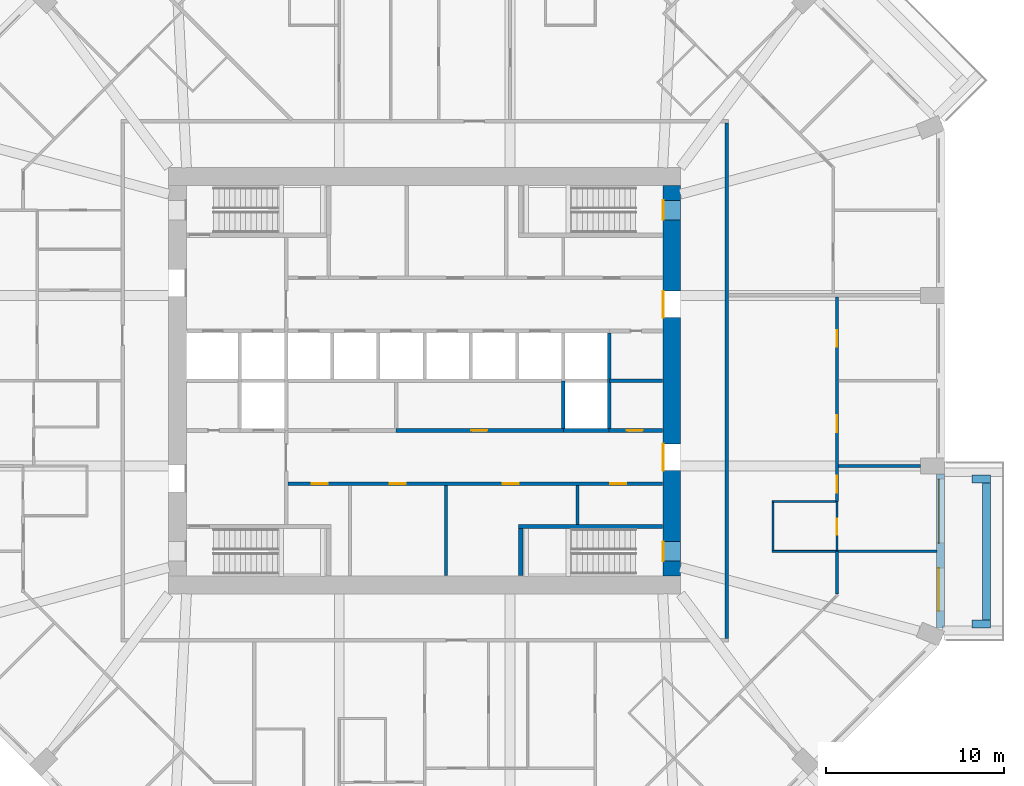
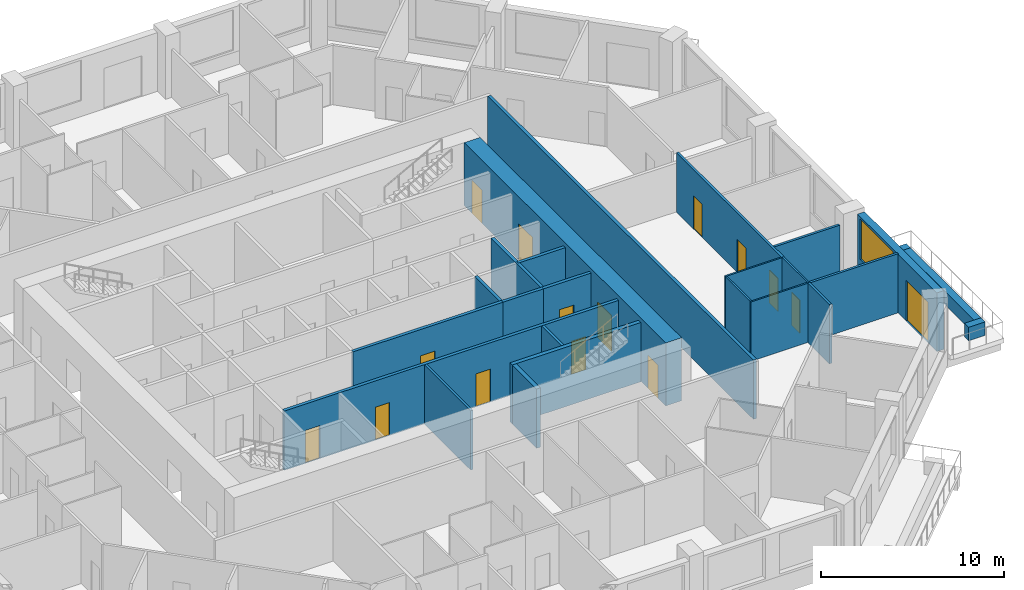
# One storey, part 6 of 13: 25 walls, 15 doors, 1 window, 16 openings.
"""IFC4 building model written with IfcOpenShell, lengths in metres."""

from ifc_helpers import new_model, si_unit, direction, frame, frame_2d, origin, place, context, subcontext, project, spatial, rectangle, extrude, material, layer, layer_set, type_object, element, fill, save


model = new_model("IFC4")

# Units and contexts
model_context = context("Model", 3, precision=1e-05, world=origin(), true_north=direction((0.0, 1.0)))
body_context = subcontext(model_context, "Body", "Model", "MODEL_VIEW")
ifc_project = project(units=[si_unit("LENGTHUNIT", "METRE"), si_unit("AREAUNIT", "SQUARE_METRE"), si_unit("VOLUMEUNIT", "CUBIC_METRE"), si_unit("PLANEANGLEUNIT", "RADIAN"), si_unit("MASSUNIT", "GRAM", prefix="KILO")], contexts=[model_context])

# Site, building, storey
site_placement = place(None, origin())
site = spatial("IfcSite", under=ifc_project, at=site_placement, CompositionType="ELEMENT")
building_placement = place(site_placement, origin())
building = spatial("IfcBuilding", under=site, at=building_placement, Name="Msitu Wima Residences", CompositionType="ELEMENT")
storey_placement = place(building_placement, frame((0.0, 0.0, 88.5)))
storey = spatial("IfcBuildingStorey", under=building, at=storey_placement, Name="L20", CompositionType="ELEMENT", Elevation=88.5)

# Walls
ifc_material_1 = material(Name="Facing brick")
ifc_layer_1 = layer(ifc_material_1, 0.06494140625, Name="Facing brick")
ifc_material_2 = material(Name="Concrete C40/50", Category="concrete")
ifc_layer_2 = layer(ifc_material_2, 0.156005859375, Name="Concrete C40/50")
ifc_material_3 = material(Name="Waterproofing membrane")
ifc_layer_3 = layer(ifc_material_3, 0.00390625, Name="Waterproofing membrane")
ifc_material_4 = material(Name="Planting soil and planting")
ifc_layer_4 = layer(ifc_material_4, 0.22509765625, Name="Planting soil and planting")
ifc_layer_set_1 = layer_set([ifc_layer_1, ifc_layer_2, ifc_layer_3, ifc_layer_4], Name="Concrete C40/50")
wall_type_1 = type_object("IfcWallType", Name="Balcony planter PLANTER PL450", PredefinedType="USERDEFINED", material=ifc_layer_set_1)
wall_1_placement = place(storey_placement, frame((31.625, -13.449951171875, 0.0), z_axis=(0.0, 0.0, 1.0), x_axis=(0.0, 1.0, 0.0)))
element("IfcWall", 1, at=wall_1_placement, inside=storey, type_object=wall_type_1, Name="Balcony planter E0 L20", ObjectType="PLANTER", PredefinedType="USERDEFINED", context=body_context, shape_type="SweptSolid", body=[
    extrude(rectangle(XDim=7.699951171875, YDim=0.449951171875, at=frame_2d((3.85009765625, 0.0))), origin(), (0.0, 0.0, 1.0), 0.89990234375),
])
for number, where, z_axis, x_axis, name in (
    (2, (30.800048828125, -13.675048828125, 0.0), (0.0, 0.0, 1.0), (1.0, 0.0, 0.0), "Balcony planter E0 L20"),
    (3, (30.800048828125, -5.52490234375, 0.0), (0.0, 0.0, 1.0), (1.0, 0.0, 0.0), "Balcony planter E0 L20"),
):
    element("IfcWall", number, at=place(storey_placement, frame(where, z_axis=z_axis, x_axis=x_axis)), inside=storey, type_object=wall_type_1, Name=name, ObjectType="PLANTER", PredefinedType="USERDEFINED", context=body_context, shape_type="SweptSolid", body=[
        extrude(rectangle(XDim=1.050048828125, YDim=0.449951171875, at=frame_2d((0.52490234375, 0.0))), origin(), (0.0, 0.0, 1.0), 0.89990234375),
    ])

# Wall, openings, door, window
ifc_material_5 = material(Name="Brick (red buff mix)", Category="masonry")
ifc_layer_5 = layer(ifc_material_5, 0.449951171875)
ifc_layer_set_2 = layer_set([ifc_layer_5], Name="Brick (red buff mix)")
wall_type_2 = type_object("IfcWallType", Name="Brick infill wall BW450", PredefinedType="SOLIDWALL", material=ifc_layer_set_2)
wall_2_placement = place(storey_placement, frame((29.02490234375, -13.912841796875, 0.0), z_axis=(0.0, 0.0, 1.0), x_axis=(0.0, 1.0, 0.0)))
wall_2 = element("IfcWall", 4, at=wall_2_placement, inside=storey, type_object=wall_type_2, Name="Brick infill wall L20 E0", PredefinedType="SOLIDWALL", context=body_context, shape_type="SweptSolid", body=[
    extrude(rectangle(XDim=8.662841796875, YDim=0.449951171875, at=frame_2d((4.33154296875, 0.0))), origin(), (0.0, 0.0, 1.0), 3.89990234375),
])
opening_1_placement = place(wall_2_placement, frame((0.9658203125, 0.0, 0.0)))
opening_1 = element("IfcOpeningElement", 5, at=opening_1_placement, cuts=wall_2, Name="Opening D18-20.001", PredefinedType="OPENING", context=body_context, shape_type="SweptSolid", body=[
    extrude(rectangle(XDim=2.39990234375, YDim=2.699951171875, at=frame_2d((1.199951171875, 1.35009765625))), frame((0.0, 0.23486328125, 0.0), z_axis=(0.0, -1.0, 0.0), x_axis=(1.0, 0.0, 0.0)), (0.0, 0.0, 1.0), 0.469970703125),
])
opening_2_placement = place(wall_2_placement, frame((4.781494140625, 0.0, 1.050048828125)))
opening_2 = element("IfcOpeningElement", 6, at=opening_2_placement, cuts=wall_2, Name="Opening W18-20.001", PredefinedType="OPENING", context=body_context, shape_type="SweptSolid", body=[
    extrude(rectangle(XDim=3.60009765625, YDim=2.699951171875, at=frame_2d((1.800048828125, 1.35009765625))), frame((0.0, 0.23486328125, 0.0), z_axis=(0.0, -1.0, 0.0), x_axis=(1.0, 0.0, 0.0)), (0.0, 0.0, 1.0), 0.469970703125),
])
ifc_material_6 = material(Name="Anodised aluminium, bronze finish, clear low-emissivity double glazing", Category="aluminium")
door_type_1 = type_object("IfcDoorType", Name="Balcony door D2400x2700", OperationType="SLIDING_TO_LEFT", PredefinedType="DOOR", material=ifc_material_6)
door_1_placement = place(opening_1_placement, origin())
door_1 = element("IfcDoor", 7, at=door_1_placement, inside=storey, type_object=door_type_1, Name="Balcony door L20 E0", OperationType="SINGLE_SWING_LEFT", OverallHeight=2.699951171875, OverallWidth=2.39990234375, PredefinedType="DOOR", context=body_context, shape_type="SweptSolid", body=[
    extrude(rectangle(XDim=2.39990234375, YDim=2.699951171875, at=frame_2d((1.199951171875, 1.35009765625))), frame((0.0, 0.1298828125, 0.0), z_axis=(0.0, -1.0, 0.0), x_axis=(1.0, 0.0, 0.0)), (0.0, 0.0, 1.0), 0.050048828125),
])
fill(opening_1, door_1)
window_type = type_object("IfcWindowType", Name="Window W3600x2700", PartitioningType="DOUBLE_PANEL_VERTICAL", PredefinedType="WINDOW", material=ifc_material_6)
window_placement = place(opening_2_placement, origin())
window = element("IfcWindow", 8, at=window_placement, inside=storey, type_object=window_type, Name="Window L20 E0.2", OverallHeight=2.699951171875, OverallWidth=3.60009765625, PartitioningType="SINGLE_PANEL", PredefinedType="WINDOW", context=body_context, shape_type="SweptSolid", body=[
    extrude(rectangle(XDim=3.60009765625, YDim=2.699951171875, at=frame_2d((1.800048828125, 1.35009765625))), frame((0.0, 0.135009765625, 0.0), z_axis=(0.0, -1.0, 0.0), x_axis=(1.0, 0.0, 0.0)), (0.0, 0.0, 1.0), 0.06005859375),
])
fill(opening_2, window)

# Wall, openings, doors
ifc_material_7 = material(Name="Concrete C80/95", Category="concrete")
ifc_layer_6 = layer(ifc_material_7, 1.0)
ifc_layer_set_3 = layer_set([ifc_layer_6], Name="Concrete C80/95")
wall_type_3 = type_object("IfcWallType", Name="Core wall CW1000 C80/95", PredefinedType="SHEAR", material=ifc_layer_set_3)
wall_3_placement = place(storey_placement, frame((13.89990234375, -11.0, 0.0), z_axis=(0.0, 0.0, 1.0), x_axis=(0.0, 1.0, 0.0)))
wall_3 = element("IfcWall", 9, at=wall_3_placement, inside=storey, type_object=wall_type_3, Name="Core wall", PredefinedType="SHEAR", context=body_context, shape_type="SweptSolid", body=[
    extrude(rectangle(XDim=22.0, YDim=1.0, at=frame_2d((11.0, 0.0))), origin(), (0.0, 0.0, 1.0), 4.199951171875),
])
opening_3_placement = place(wall_3_placement, frame((20.050048828125, 0.0, 0.0)))
opening_3 = element("IfcOpeningElement", 10, at=opening_3_placement, cuts=wall_3, Name="Opening D18-20.035", PredefinedType="OPENING", context=body_context, shape_type="SweptSolid", body=[
    extrude(rectangle(XDim=1.10009765625, YDim=2.199951171875, at=frame_2d((0.550048828125, 1.10009765625))), frame((0.0, 0.510009765625, 0.0), z_axis=(0.0, -1.0, 0.0), x_axis=(1.0, 0.0, 0.0)), (0.0, 0.0, 1.0), 1.02001953125),
])
opening_4_placement = place(wall_3_placement, frame((0.85009765625, 0.0, 0.0)))
opening_4 = element("IfcOpeningElement", 11, at=opening_4_placement, cuts=wall_3, Name="Opening D18-20.036", PredefinedType="OPENING", context=body_context, shape_type="SweptSolid", body=[
    extrude(rectangle(XDim=1.10009765625, YDim=2.199951171875, at=frame_2d((0.550048828125, 1.10009765625))), frame((0.0, 0.510009765625, 0.0), z_axis=(0.0, -1.0, 0.0), x_axis=(1.0, 0.0, 0.0)), (0.0, 0.0, 1.0), 1.02001953125),
])
opening_5_placement = place(wall_3_placement, frame((14.550048828125, 0.0, 0.0)))
opening_5 = element("IfcOpeningElement", 12, at=opening_5_placement, cuts=wall_3, Name="Opening D18-20.025", PredefinedType="OPENING", context=body_context, shape_type="SweptSolid", body=[
    extrude(rectangle(XDim=1.5, YDim=2.39990234375, at=frame_2d((0.75, 1.199951171875))), frame((0.0, 0.510009765625, 0.0), z_axis=(0.0, -1.0, 0.0), x_axis=(1.0, 0.0, 0.0)), (0.0, 0.0, 1.0), 1.02001953125),
])
opening_6_placement = place(wall_3_placement, frame((5.949951171875, 0.0, 0.0)))
opening_6 = element("IfcOpeningElement", 13, at=opening_6_placement, cuts=wall_3, Name="Opening D18-20.026", PredefinedType="OPENING", context=body_context, shape_type="SweptSolid", body=[
    extrude(rectangle(XDim=1.5, YDim=2.39990234375, at=frame_2d((0.75, 1.199951171875))), frame((0.0, 0.510009765625, 0.0), z_axis=(0.0, -1.0, 0.0), x_axis=(1.0, 0.0, 0.0)), (0.0, 0.0, 1.0), 1.02001953125),
])
ifc_material_8 = material(Name="Steel framed glazed door, fire resisting", Category="steel")
door_type_2 = type_object("IfcDoorType", Name="Lobby door D07 1500x2400", OperationType="DOUBLE_DOOR_SINGLE_SWING", PredefinedType="DOOR", material=ifc_material_8)
door_2_placement = place(opening_5_placement, origin())
door_2 = element("IfcDoor", 14, at=door_2_placement, inside=storey, type_object=door_type_2, Name="Lobby door", OperationType="DOUBLE_DOOR_SINGLE_SWING", OverallHeight=2.39990234375, OverallWidth=1.5, PredefinedType="DOOR", context=body_context, shape_type="SweptSolid", body=[
    extrude(rectangle(XDim=1.5, YDim=2.39990234375, at=frame_2d((0.75, 1.199951171875))), frame((0.0, 0.4951171875, 0.0), z_axis=(0.0, -1.0, 0.0), x_axis=(1.0, 0.0, 0.0)), (0.0, 0.0, 1.0), 0.050048828125),
])
fill(opening_5, door_2)
door_3_placement = place(opening_6_placement, origin())
door_3 = element("IfcDoor", 15, at=door_3_placement, inside=storey, type_object=door_type_2, Name="Lobby door", OperationType="DOUBLE_DOOR_SINGLE_SWING", OverallHeight=2.39990234375, OverallWidth=1.5, PredefinedType="DOOR", context=body_context, shape_type="SweptSolid", body=[
    extrude(rectangle(XDim=1.5, YDim=2.39990234375, at=frame_2d((0.75, 1.199951171875))), frame((0.0, 0.4951171875, 0.0), z_axis=(0.0, -1.0, 0.0), x_axis=(1.0, 0.0, 0.0)), (0.0, 0.0, 1.0), 0.050048828125),
])
fill(opening_6, door_3)
ifc_material_9 = material(Name="Steel door, fire resisting, panic bar", Category="steel")
door_type_3 = type_object("IfcDoorType", Name="Stair door D06 1100x2200", OperationType="SINGLE_SWING_LEFT", PredefinedType="DOOR", material=ifc_material_9)
door_4_placement = place(opening_3_placement, origin())
door_4 = element("IfcDoor", 16, at=door_4_placement, inside=storey, type_object=door_type_3, Name="Stair door", OperationType="SINGLE_SWING_LEFT", OverallHeight=2.199951171875, OverallWidth=1.10009765625, PredefinedType="DOOR", context=body_context, shape_type="SweptSolid", body=[
    extrude(rectangle(XDim=1.10009765625, YDim=2.199951171875, at=frame_2d((0.550048828125, 1.10009765625))), frame((0.0, 0.4951171875, 0.0), z_axis=(0.0, -1.0, 0.0), x_axis=(1.0, 0.0, 0.0)), (0.0, 0.0, 1.0), 0.050048828125),
])
fill(opening_3, door_4)
door_5_placement = place(opening_4_placement, origin())
door_5 = element("IfcDoor", 17, at=door_5_placement, inside=storey, type_object=door_type_3, Name="Stair door", OperationType="SINGLE_SWING_RIGHT", OverallHeight=2.199951171875, OverallWidth=1.10009765625, PredefinedType="DOOR", context=body_context, shape_type="SweptSolid", body=[
    extrude(rectangle(XDim=1.10009765625, YDim=2.199951171875, at=frame_2d((0.550048828125, 1.10009765625))), frame((0.0, 0.4951171875, 0.0), z_axis=(0.0, -1.0, 0.0), x_axis=(1.0, 0.0, 0.0)), (0.0, 0.0, 1.0), 0.050048828125),
])
fill(opening_4, door_5)

ifc_material_10 = material(Name="Plaster")
ifc_layer_7 = layer(ifc_material_10, 0.011962890625, Name="Plaster")
ifc_material_11 = material(Name="Concrete blockwork", Category="masonry")
ifc_layer_8 = layer(ifc_material_11, 0.176025390625, Name="Concrete blockwork")
ifc_layer_9 = layer(ifc_material_10, 0.011962890625, Name="Plaster")
ifc_layer_set_4 = layer_set([ifc_layer_7, ifc_layer_8, ifc_layer_9], Name="Concrete blockwork")
wall_type_4 = type_object("IfcWallType", Name="Corridor wall FW200", PredefinedType="PARTITIONING", material=ifc_layer_set_4)
wall_4_placement = place(storey_placement, frame((-7.699951171875, -5.800048828125, 0.0), z_axis=(0.0, 0.0, 1.0), x_axis=(1.0, 0.0, 0.0)))
wall_4 = element("IfcWall", 18, at=wall_4_placement, inside=storey, type_object=wall_type_4, Name="Corridor wall", PredefinedType="PARTITIONING", context=body_context, shape_type="SweptSolid", body=[
    extrude(rectangle(XDim=21.070068359375, YDim=0.199951171875, at=frame_2d((10.53515625, 0.0))), origin(), (0.0, 0.0, 1.0), 3.949951171875),
])
opening_7_placement = place(wall_4_placement, frame((1.35009765625, 0.0, 0.0)))
opening_7 = element("IfcOpeningElement", 19, at=opening_7_placement, cuts=wall_4, Name="Opening D18-20.021", PredefinedType="OPENING", context=body_context, shape_type="SweptSolid", body=[
    extrude(rectangle(XDim=0.89990234375, YDim=2.199951171875, at=frame_2d((0.449951171875, 1.10009765625))), frame((0.0, 0.10986328125, 0.0), z_axis=(0.0, -1.0, 0.0), x_axis=(1.0, 0.0, 0.0)), (0.0, 0.0, 1.0), 0.219970703125),
])
opening_8_placement = place(wall_4_placement, frame((5.75, 0.0, 0.0)))
opening_8 = element("IfcOpeningElement", 20, at=opening_8_placement, cuts=wall_4, Name="Opening D18-20.022", PredefinedType="OPENING", context=body_context, shape_type="SweptSolid", body=[
    extrude(rectangle(XDim=0.89990234375, YDim=2.199951171875, at=frame_2d((0.449951171875, 1.10009765625))), frame((0.0, 0.10986328125, 0.0), z_axis=(0.0, -1.0, 0.0), x_axis=(1.0, 0.0, 0.0)), (0.0, 0.0, 1.0), 0.219970703125),
])
opening_9_placement = place(wall_4_placement, frame((12.10009765625, 0.0, 0.0)))
opening_9 = element("IfcOpeningElement", 21, at=opening_9_placement, cuts=wall_4, Name="Opening D18-20.023", PredefinedType="OPENING", context=body_context, shape_type="SweptSolid", body=[
    extrude(rectangle(XDim=0.89990234375, YDim=2.199951171875, at=frame_2d((0.449951171875, 1.10009765625))), frame((0.0, 0.10986328125, 0.0), z_axis=(0.0, -1.0, 0.0), x_axis=(1.0, 0.0, 0.0)), (0.0, 0.0, 1.0), 0.219970703125),
])
opening_10_placement = place(wall_4_placement, frame((18.14990234375, 0.0, 0.0)))
opening_10 = element("IfcOpeningElement", 22, at=opening_10_placement, cuts=wall_4, Name="Opening D18-20.024", PredefinedType="OPENING", context=body_context, shape_type="SweptSolid", body=[
    extrude(rectangle(XDim=0.89990234375, YDim=2.199951171875, at=frame_2d((0.449951171875, 1.10009765625))), frame((0.0, 0.10986328125, 0.0), z_axis=(0.0, -1.0, 0.0), x_axis=(1.0, 0.0, 0.0)), (0.0, 0.0, 1.0), 0.219970703125),
])
ifc_material_12 = material(Name="Timber flush door", Category="wood")
door_type_4 = type_object("IfcDoorType", Name="Service door D05 900x2200", OperationType="SINGLE_SWING_LEFT", PredefinedType="DOOR", material=ifc_material_12)
door_6_placement = place(opening_7_placement, origin())
door_6 = element("IfcDoor", 23, at=door_6_placement, inside=storey, type_object=door_type_4, Name="Service door", OperationType="SINGLE_SWING_LEFT", OverallHeight=2.199951171875, OverallWidth=0.89990234375, PredefinedType="DOOR", context=body_context, shape_type="SweptSolid", body=[
    extrude(rectangle(XDim=0.89990234375, YDim=2.199951171875, at=frame_2d((0.449951171875, 1.10009765625))), frame((0.0, 0.02490234375, 0.0), z_axis=(0.0, -1.0, 0.0), x_axis=(1.0, 0.0, 0.0)), (0.0, 0.0, 1.0), 0.050048828125),
])
fill(opening_7, door_6)
door_7_placement = place(opening_8_placement, origin())
door_7 = element("IfcDoor", 24, at=door_7_placement, inside=storey, type_object=door_type_4, Name="Service door", OperationType="SINGLE_SWING_RIGHT", OverallHeight=2.199951171875, OverallWidth=0.89990234375, PredefinedType="DOOR", context=body_context, shape_type="SweptSolid", body=[
    extrude(rectangle(XDim=0.89990234375, YDim=2.199951171875, at=frame_2d((0.449951171875, 1.10009765625))), frame((0.0, 0.02490234375, 0.0), z_axis=(0.0, -1.0, 0.0), x_axis=(1.0, 0.0, 0.0)), (0.0, 0.0, 1.0), 0.050048828125),
])
fill(opening_8, door_7)
door_8_placement = place(opening_9_placement, origin())
door_8 = element("IfcDoor", 25, at=door_8_placement, inside=storey, type_object=door_type_4, Name="Service door", OperationType="SINGLE_SWING_LEFT", OverallHeight=2.199951171875, OverallWidth=0.89990234375, PredefinedType="DOOR", context=body_context, shape_type="SweptSolid", body=[
    extrude(rectangle(XDim=0.89990234375, YDim=2.199951171875, at=frame_2d((0.449951171875, 1.10009765625))), frame((0.0, 0.02490234375, 0.0), z_axis=(0.0, -1.0, 0.0), x_axis=(1.0, 0.0, 0.0)), (0.0, 0.0, 1.0), 0.050048828125),
])
fill(opening_9, door_8)
door_9_placement = place(opening_10_placement, origin())
door_9 = element("IfcDoor", 26, at=door_9_placement, inside=storey, type_object=door_type_4, Name="Service door", OperationType="SINGLE_SWING_RIGHT", OverallHeight=2.199951171875, OverallWidth=0.89990234375, PredefinedType="DOOR", context=body_context, shape_type="SweptSolid", body=[
    extrude(rectangle(XDim=0.89990234375, YDim=2.199951171875, at=frame_2d((0.449951171875, 1.10009765625))), frame((0.0, 0.02490234375, 0.0), z_axis=(0.0, -1.0, 0.0), x_axis=(1.0, 0.0, 0.0)), (0.0, 0.0, 1.0), 0.050048828125),
])
fill(opening_10, door_9)

# Wall, opening, door
wall_5_placement = place(storey_placement, frame((-1.6201171875, -2.800048828125, 0.0), z_axis=(0.0, 0.0, 1.0), x_axis=(1.0, 0.0, 0.0)))
wall_5 = element("IfcWall", 27, at=wall_5_placement, inside=storey, type_object=wall_type_4, Name="Corridor wall", PredefinedType="PARTITIONING", context=body_context, shape_type="SweptSolid", body=[
    extrude(rectangle(XDim=9.440185546875, YDim=0.199951171875, at=frame_2d((4.72021484375, 0.0))), origin(), (0.0, 0.0, 1.0), 3.949951171875),
])
opening_11_placement = place(wall_5_placement, frame((4.25, 0.0, 0.0)))
opening_11 = element("IfcOpeningElement", 28, at=opening_11_placement, cuts=wall_5, Name="Opening D18-20.030", PredefinedType="OPENING", context=body_context, shape_type="SweptSolid", body=[
    extrude(rectangle(XDim=0.89990234375, YDim=2.199951171875, at=frame_2d((0.449951171875, 1.10009765625))), frame((0.0, 0.10986328125, 0.0), z_axis=(0.0, -1.0, 0.0), x_axis=(1.0, 0.0, 0.0)), (0.0, 0.0, 1.0), 0.219970703125),
])
door_10_placement = place(opening_11_placement, origin())
door_10 = element("IfcDoor", 29, at=door_10_placement, inside=storey, type_object=door_type_4, Name="Service door", OperationType="SINGLE_SWING_LEFT", OverallHeight=2.199951171875, OverallWidth=0.89990234375, PredefinedType="DOOR", context=body_context, shape_type="SweptSolid", body=[
    extrude(rectangle(XDim=0.89990234375, YDim=2.199951171875, at=frame_2d((0.449951171875, 1.10009765625))), frame((0.0, 0.02490234375, 0.0), z_axis=(0.0, -1.0, 0.0), x_axis=(1.0, 0.0, 0.0)), (0.0, 0.0, 1.0), 0.050048828125),
])
fill(opening_11, door_10)

# Walls
wall_6_placement = place(storey_placement, frame((17.0, -14.5, 0.0), z_axis=(0.0, 0.0, 1.0), x_axis=(0.0, 1.0, 0.0)))
element("IfcWall", 30, at=wall_6_placement, inside=storey, type_object=wall_type_4, Name="Corridor wall", PredefinedType="PARTITIONING", context=body_context, shape_type="SweptSolid", body=[
    extrude(rectangle(XDim=29.0, YDim=0.199951171875, at=frame_2d((14.5, 0.0))), origin(), (0.0, 0.0, 1.0), 3.949951171875),
])
ifc_layer_10 = layer(ifc_material_10, 0.011962890625, Name="Plaster")
ifc_layer_11 = layer(ifc_material_11, 0.1259765625, Name="Concrete blockwork")
ifc_layer_12 = layer(ifc_material_10, 0.011962890625, Name="Plaster")
ifc_layer_set_5 = layer_set([ifc_layer_10, ifc_layer_11, ifc_layer_12], Name="Concrete blockwork")
wall_type_5 = type_object("IfcWallType", Name="Partition PW150", PredefinedType="PARTITIONING", material=ifc_layer_set_5)
wall_7_placement = place(storey_placement, frame((1.199951171875, -10.969970703125, 0.0), z_axis=(0.0, 0.0, 1.0), x_axis=(0.0, 1.0, 0.0)))
element("IfcWall", 31, at=wall_7_placement, inside=storey, type_object=wall_type_5, Name="Partition", PredefinedType="PARTITIONING", context=body_context, shape_type="SweptSolid", body=[
    extrude(rectangle(XDim=5.070068359375, YDim=0.14990234375, at=frame_2d((2.53515625, 0.0))), origin(), (0.0, 0.0, 1.0), 3.949951171875),
])
wall_8_placement = place(storey_placement, frame((8.60009765625, -8.074951171875, 0.0), z_axis=(0.0, 0.0, 1.0), x_axis=(0.0, 1.0, 0.0)))
element("IfcWall", 32, at=wall_8_placement, inside=storey, type_object=wall_type_5, Name="Partition", PredefinedType="PARTITIONING", context=body_context, shape_type="SweptSolid", body=[
    extrude(rectangle(XDim=2.175048828125, YDim=0.14990234375, at=frame_2d((1.08740234375, 0.0))), origin(), (0.0, 0.0, 1.0), 3.949951171875),
])
wall_9_placement = place(storey_placement, frame((23.179931640625, -9.60009765625, 0.0), z_axis=(0.0, 0.0, 1.0), x_axis=(1.0, 0.0, 0.0)))
element("IfcWall", 33, at=wall_9_placement, inside=storey, type_object=wall_type_5, Name="Partition", PredefinedType="PARTITIONING", context=body_context, shape_type="SweptSolid", body=[
    extrude(rectangle(XDim=5.64501953125, YDim=0.14990234375, at=frame_2d((2.822509765625, 0.0))), origin(), (0.0, 0.0, 1.0), 3.949951171875),
])
wall_10_placement = place(storey_placement, frame((23.199951171875, -12.00537109375, 0.0), z_axis=(0.0, 0.0, 1.0), x_axis=(0.0, 1.0, 0.0)))
element("IfcWall", 34, at=wall_10_placement, inside=storey, type_object=wall_type_5, Name="Partition", PredefinedType="PARTITIONING", context=body_context, shape_type="SweptSolid", body=[
    extrude(rectangle(XDim=2.38525390625, YDim=0.14990234375, at=frame_2d((1.192626953125, 0.0))), origin(), (0.0, 0.0, 1.0), 3.949951171875),
])

# Wall, openings, doors
wall_11_placement = place(storey_placement, frame((23.199951171875, -6.800048828125, 0.0), z_axis=(0.0, 0.0, 1.0), x_axis=(0.0, 1.0, 0.0)))
wall_11 = element("IfcWall", 35, at=wall_11_placement, inside=storey, type_object=wall_type_5, Name="Partition", PredefinedType="PARTITIONING", context=body_context, shape_type="SweptSolid", body=[
    extrude(rectangle(XDim=11.5, YDim=0.14990234375, at=frame_2d((5.75, 0.0))), origin(), (0.0, 0.0, 1.0), 3.949951171875),
])
opening_12_placement = place(wall_11_placement, frame((3.89990234375, 0.0, 0.0)))
opening_12 = element("IfcOpeningElement", 36, at=opening_12_placement, cuts=wall_11, Name="Opening D18-20.075", PredefinedType="OPENING", context=body_context, shape_type="SweptSolid", body=[
    extrude(rectangle(XDim=0.949951171875, YDim=2.199951171875, at=frame_2d((0.47509765625, 1.10009765625))), frame((0.0, 0.0849609375, 0.0), z_axis=(0.0, -1.0, 0.0), x_axis=(1.0, 0.0, 0.0)), (0.0, 0.0, 1.0), 0.169921875),
])
opening_13_placement = place(wall_11_placement, frame((0.5, 0.0, 0.0)))
opening_13 = element("IfcOpeningElement", 37, at=opening_13_placement, cuts=wall_11, Name="Opening D18-20.078", PredefinedType="OPENING", context=body_context, shape_type="SweptSolid", body=[
    extrude(rectangle(XDim=0.949951171875, YDim=2.199951171875, at=frame_2d((0.47509765625, 1.10009765625))), frame((0.0, 0.0849609375, 0.0), z_axis=(0.0, -1.0, 0.0), x_axis=(1.0, 0.0, 0.0)), (0.0, 0.0, 1.0), 0.169921875),
])
opening_14_placement = place(wall_11_placement, frame((8.699951171875, 0.0, 0.0)))
opening_14 = element("IfcOpeningElement", 38, at=opening_14_placement, cuts=wall_11, Name="Opening D18-20.083", PredefinedType="OPENING", context=body_context, shape_type="SweptSolid", body=[
    extrude(rectangle(XDim=0.949951171875, YDim=2.199951171875, at=frame_2d((0.47509765625, 1.10009765625))), frame((0.0, 0.0849609375, 0.0), z_axis=(0.0, -1.0, 0.0), x_axis=(1.0, 0.0, 0.0)), (0.0, 0.0, 1.0), 0.169921875),
])
door_type_5 = type_object("IfcDoorType", Name="Room door D12 950x2200", OperationType="SINGLE_SWING_LEFT", PredefinedType="DOOR", material=ifc_material_12)
door_11_placement = place(opening_12_placement, origin())
door_11 = element("IfcDoor", 39, at=door_11_placement, inside=storey, type_object=door_type_5, Name="Room door", OperationType="SINGLE_SWING_RIGHT", OverallHeight=2.199951171875, OverallWidth=0.949951171875, PredefinedType="DOOR", context=body_context, shape_type="SweptSolid", body=[
    extrude(rectangle(XDim=0.949951171875, YDim=2.199951171875, at=frame_2d((0.47509765625, 1.10009765625))), frame((0.0, 0.02490234375, 0.0), z_axis=(0.0, -1.0, 0.0), x_axis=(1.0, 0.0, 0.0)), (0.0, 0.0, 1.0), 0.050048828125),
])
fill(opening_12, door_11)
door_12_placement = place(opening_13_placement, origin())
door_12 = element("IfcDoor", 40, at=door_12_placement, inside=storey, type_object=door_type_5, Name="Room door", OperationType="SINGLE_SWING_LEFT", OverallHeight=2.199951171875, OverallWidth=0.949951171875, PredefinedType="DOOR", context=body_context, shape_type="SweptSolid", body=[
    extrude(rectangle(XDim=0.949951171875, YDim=2.199951171875, at=frame_2d((0.47509765625, 1.10009765625))), frame((0.0, 0.02490234375, 0.0), z_axis=(0.0, -1.0, 0.0), x_axis=(1.0, 0.0, 0.0)), (0.0, 0.0, 1.0), 0.050048828125),
])
fill(opening_13, door_12)
door_13_placement = place(opening_14_placement, origin())
door_13 = element("IfcDoor", 41, at=door_13_placement, inside=storey, type_object=door_type_5, Name="Room door", OperationType="SINGLE_SWING_RIGHT", OverallHeight=2.199951171875, OverallWidth=0.949951171875, PredefinedType="DOOR", context=body_context, shape_type="SweptSolid", body=[
    extrude(rectangle(XDim=0.949951171875, YDim=2.199951171875, at=frame_2d((0.47509765625, 1.10009765625))), frame((0.0, 0.02490234375, 0.0), z_axis=(0.0, -1.0, 0.0), x_axis=(1.0, 0.0, 0.0)), (0.0, 0.0, 1.0), 0.050048828125),
])
fill(opening_14, door_13)

# Wall
wall_12_placement = place(storey_placement, frame((23.27490234375, -4.800048828125, 0.0), z_axis=(0.0, 0.0, 1.0), x_axis=(1.0, 0.0, 0.0)))
element("IfcWall", 42, at=wall_12_placement, inside=storey, type_object=wall_type_5, Name="Partition", PredefinedType="PARTITIONING", context=body_context, shape_type="SweptSolid", body=[
    extrude(rectangle(XDim=4.625, YDim=0.14990234375, at=frame_2d((2.3125, 0.0))), origin(), (0.0, 0.0, 1.0), 3.25),
])

# Wall, opening, door
ifc_layer_13 = layer(ifc_material_10, 0.011962890625, Name="Plaster")
ifc_material_13 = material(Name="Reinforced concrete blockwork", Category="masonry")
ifc_layer_14 = layer(ifc_material_13, 0.176025390625, Name="Reinforced concrete blockwork")
ifc_layer_15 = layer(ifc_material_10, 0.011962890625, Name="Plaster")
ifc_layer_set_6 = layer_set([ifc_layer_13, ifc_layer_14, ifc_layer_15], Name="Reinforced concrete blockwork")
wall_type_6 = type_object("IfcWallType", Name="Plant and riser wall PL200", PredefinedType="PARTITIONING", material=ifc_layer_set_6)
wall_13_placement = place(storey_placement, frame((10.3798828125, -2.800048828125, 0.0), z_axis=(0.0, 0.0, 1.0), x_axis=(1.0, 0.0, 0.0)))
wall_13 = element("IfcWall", 43, at=wall_13_placement, inside=storey, type_object=wall_type_6, Name="Plant and riser wall", PredefinedType="PARTITIONING", context=body_context, shape_type="SweptSolid", body=[
    extrude(rectangle(XDim=2.990234375, YDim=0.199951171875, at=frame_2d((1.4951171875, 0.0))), origin(), (0.0, 0.0, 1.0), 3.949951171875),
])
opening_15_placement = place(wall_13_placement, frame((1.0, 0.0, 0.0)))
opening_15 = element("IfcOpeningElement", 44, at=opening_15_placement, cuts=wall_13, Name="Opening D18-20.011", PredefinedType="OPENING", context=body_context, shape_type="SweptSolid", body=[
    extrude(rectangle(XDim=0.89990234375, YDim=2.199951171875, at=frame_2d((0.449951171875, 1.10009765625))), frame((0.0, 0.10986328125, 0.0), z_axis=(0.0, -1.0, 0.0), x_axis=(1.0, 0.0, 0.0)), (0.0, 0.0, 1.0), 0.219970703125),
])
door_14_placement = place(opening_15_placement, origin())
door_14 = element("IfcDoor", 45, at=door_14_placement, inside=storey, type_object=door_type_4, Name="Service door", OperationType="SINGLE_SWING_LEFT", OverallHeight=2.199951171875, OverallWidth=0.89990234375, PredefinedType="DOOR", context=body_context, shape_type="SweptSolid", body=[
    extrude(rectangle(XDim=0.89990234375, YDim=2.199951171875, at=frame_2d((0.449951171875, 1.10009765625))), frame((0.0, 0.02490234375, 0.0), z_axis=(0.0, -1.0, 0.0), x_axis=(1.0, 0.0, 0.0)), (0.0, 0.0, 1.0), 0.050048828125),
])
fill(opening_15, door_14)

# Walls
wall_14_placement = place(storey_placement, frame((10.39990234375, 0.0, 0.0), z_axis=(0.0, 0.0, 1.0), x_axis=(1.0, 0.0, 0.0)))
element("IfcWall", 46, at=wall_14_placement, inside=storey, type_object=wall_type_6, Name="Plant and riser wall", PredefinedType="PARTITIONING", context=body_context, shape_type="SweptSolid", body=[
    extrude(rectangle(XDim=2.97021484375, YDim=0.199951171875, at=frame_2d((1.485107421875, 0.0))), origin(), (0.0, 0.0, 1.0), 3.949951171875),
])
ifc_material_14 = material(Name="Fire-rated board")
ifc_layer_16 = layer(ifc_material_14, 0.02490234375, Name="Fire-rated board")
ifc_material_15 = material(Name="Light-gauge stud framing with mineral wool")
ifc_layer_17 = layer(ifc_material_15, 0.14990234375, Name="Light-gauge stud framing with mineral wool")
ifc_layer_18 = layer(ifc_material_14, 0.02490234375, Name="Fire-rated board")
ifc_layer_set_7 = layer_set([ifc_layer_16, ifc_layer_17, ifc_layer_18], Name="Light-gauge stud framing with mineral wool")
wall_type_7 = type_object("IfcWallType", Name="Shaft wall SH200", PredefinedType="PARTITIONING", material=ifc_layer_set_7)
wall_15_placement = place(storey_placement, frame((7.800048828125, -2.699951171875, 0.0), z_axis=(0.0, 0.0, 1.0), x_axis=(0.0, 1.0, 0.0)))
element("IfcWall", 47, at=wall_15_placement, inside=storey, type_object=wall_type_7, Name="Shaft wall", PredefinedType="PARTITIONING", context=body_context, shape_type="SweptSolid", body=[
    extrude(rectangle(XDim=2.699951171875, YDim=0.199951171875, at=frame_2d((1.35009765625, 0.0))), origin(), (0.0, 0.0, 1.0), 3.949951171875),
])
wall_16_placement = place(storey_placement, frame((7.820068359375, -2.800048828125, 0.0), z_axis=(0.0, 0.0, 1.0), x_axis=(1.0, 0.0, 0.0)))
element("IfcWall", 48, at=wall_16_placement, inside=storey, type_object=wall_type_7, Name="Shaft wall", PredefinedType="PARTITIONING", context=body_context, shape_type="SweptSolid", body=[
    extrude(rectangle(XDim=2.559814453125, YDim=0.199951171875, at=frame_2d((1.27978515625, 0.0))), origin(), (0.0, 0.0, 1.0), 3.949951171875),
])
wall_17_placement = place(storey_placement, frame((10.39990234375, -2.699951171875, 0.0), z_axis=(0.0, 0.0, 1.0), x_axis=(0.0, 1.0, 0.0)))
element("IfcWall", 49, at=wall_17_placement, inside=storey, type_object=wall_type_7, Name="Shaft wall", PredefinedType="PARTITIONING", context=body_context, shape_type="SweptSolid", body=[
    extrude(rectangle(XDim=5.39990234375, YDim=0.199951171875, at=frame_2d((2.699951171875, 0.0))), origin(), (0.0, 0.0, 1.0), 3.949951171875),
])
ifc_material_16 = material(Name="Concrete C50/60", Category="concrete")
ifc_layer_19 = layer(ifc_material_16, 0.25)
ifc_layer_set_8 = layer_set([ifc_layer_19], Name="Concrete C50/60")
wall_type_8 = type_object("IfcWallType", Name="Stair enclosure wall SW250", PredefinedType="SHEAR", material=ifc_layer_set_8)
wall_18_placement = place(storey_placement, frame((5.39990234375, -10.969970703125, 0.0), z_axis=(0.0, 0.0, 1.0), x_axis=(0.0, 1.0, 0.0)))
element("IfcWall", 50, at=wall_18_placement, inside=storey, type_object=wall_type_8, Name="Stair enclosure wall", PredefinedType="SHEAR", context=body_context, shape_type="SweptSolid", body=[
    extrude(rectangle(XDim=2.64501953125, YDim=0.25, at=frame_2d((1.322509765625, 0.0))), origin(), (0.0, 0.0, 1.0), 3.949951171875),
])
wall_19_placement = place(storey_placement, frame((5.27490234375, -8.199951171875, 0.0), z_axis=(0.0, 0.0, 1.0), x_axis=(1.0, 0.0, 0.0)))
element("IfcWall", 51, at=wall_19_placement, inside=storey, type_object=wall_type_8, Name="Stair enclosure wall", PredefinedType="SHEAR", context=body_context, shape_type="SweptSolid", body=[
    extrude(rectangle(XDim=8.09521484375, YDim=0.25, at=frame_2d((4.047607421875, 0.0))), origin(), (0.0, 0.0, 1.0), 3.949951171875),
])
ifc_material_17 = material(Name="Ceramic tiles")
ifc_layer_20 = layer(ifc_material_17, 0.008056640625, Name="Ceramic tiles")
ifc_material_18 = material(Name="Moisture-resistant board")
ifc_layer_21 = layer(ifc_material_18, 0.012451171875, Name="Moisture-resistant board")
ifc_layer_22 = layer(ifc_material_15, 0.06689453125, Name="Light-gauge stud framing with mineral wool")
ifc_layer_23 = layer(ifc_material_18, 0.012451171875, Name="Moisture-resistant board")
ifc_layer_set_9 = layer_set([ifc_layer_20, ifc_layer_21, ifc_layer_22, ifc_layer_23], Name="Light-gauge stud framing with mineral wool")
wall_type_9 = type_object("IfcWallType", Name="Wet wall PW100", PredefinedType="PARTITIONING", material=ifc_layer_set_9)
wall_20_placement = place(storey_placement, frame((19.60009765625, -9.550048828125, 0.0), z_axis=(0.0, 0.0, 1.0), x_axis=(0.0, 1.0, 0.0)))
element("IfcWall", 52, at=wall_20_placement, inside=storey, type_object=wall_type_9, Name="Wet wall", PredefinedType="PARTITIONING", context=body_context, shape_type="SweptSolid", body=[
    extrude(rectangle(XDim=2.699951171875, YDim=0.10009765625, at=frame_2d((1.35009765625, 0.0))), origin(), (0.0, 0.0, 1.0), 3.949951171875),
])
wall_21_placement = place(storey_placement, frame((19.550048828125, -9.60009765625, 0.0), z_axis=(0.0, 0.0, 1.0), x_axis=(1.0, 0.0, 0.0)))
element("IfcWall", 53, at=wall_21_placement, inside=storey, type_object=wall_type_9, Name="Wet wall", PredefinedType="PARTITIONING", context=body_context, shape_type="SweptSolid", body=[
    extrude(rectangle(XDim=3.6298828125, YDim=0.10009765625, at=frame_2d((1.81494140625, 0.0))), origin(), (0.0, 0.0, 1.0), 3.949951171875),
])
wall_22_placement = place(storey_placement, frame((19.550048828125, -6.800048828125, 0.0), z_axis=(0.0, 0.0, 1.0), x_axis=(1.0, 0.0, 0.0)))
element("IfcWall", 54, at=wall_22_placement, inside=storey, type_object=wall_type_9, Name="Wet wall", PredefinedType="PARTITIONING", context=body_context, shape_type="SweptSolid", body=[
    extrude(rectangle(XDim=3.574951171875, YDim=0.10009765625, at=frame_2d((1.78759765625, 0.0))), origin(), (0.0, 0.0, 1.0), 3.949951171875),
])

# Wall, opening, door
wall_23_placement = place(storey_placement, frame((23.199951171875, -9.6201171875, 0.0), z_axis=(0.0, 0.0, 1.0), x_axis=(0.0, 1.0, 0.0)))
wall_23 = element("IfcWall", 55, at=wall_23_placement, inside=storey, type_object=wall_type_9, Name="Wet wall", PredefinedType="PARTITIONING", context=body_context, shape_type="SweptSolid", body=[
    extrude(rectangle(XDim=2.820068359375, YDim=0.10009765625, at=frame_2d((1.41015625, 0.0))), origin(), (0.0, 0.0, 1.0), 3.949951171875),
])
opening_16_placement = place(wall_23_placement, frame((0.949951171875, 0.0, 0.0)))
opening_16 = element("IfcOpeningElement", 56, at=opening_16_placement, cuts=wall_23, Name="Opening D18-20.079", PredefinedType="OPENING", context=body_context, shape_type="SweptSolid", body=[
    extrude(rectangle(XDim=0.89990234375, YDim=2.199951171875, at=frame_2d((0.449951171875, 1.10009765625))), frame((0.0, 0.06005859375, 0.0), z_axis=(0.0, -1.0, 0.0), x_axis=(1.0, 0.0, 0.0)), (0.0, 0.0, 1.0), 0.1201171875),
])
ifc_material_19 = material(Name="Timber flush door, moisture resistant", Category="wood")
door_type_6 = type_object("IfcDoorType", Name="Bathroom door D03 900x2200", OperationType="SINGLE_SWING_LEFT", PredefinedType="DOOR", material=ifc_material_19)
door_15_placement = place(opening_16_placement, origin())
door_15 = element("IfcDoor", 57, at=door_15_placement, inside=storey, type_object=door_type_6, Name="Bathroom door", OperationType="SINGLE_SWING_LEFT", OverallHeight=2.199951171875, OverallWidth=0.89990234375, PredefinedType="DOOR", context=body_context, shape_type="SweptSolid", body=[
    extrude(rectangle(XDim=0.89990234375, YDim=2.199951171875, at=frame_2d((0.449951171875, 1.10009765625))), frame((0.0, 0.02490234375, 0.0), z_axis=(0.0, -1.0, 0.0), x_axis=(1.0, 0.0, 0.0)), (0.0, 0.0, 1.0), 0.050048828125),
])
fill(opening_16, door_15)

save(model, "model.ifc")
